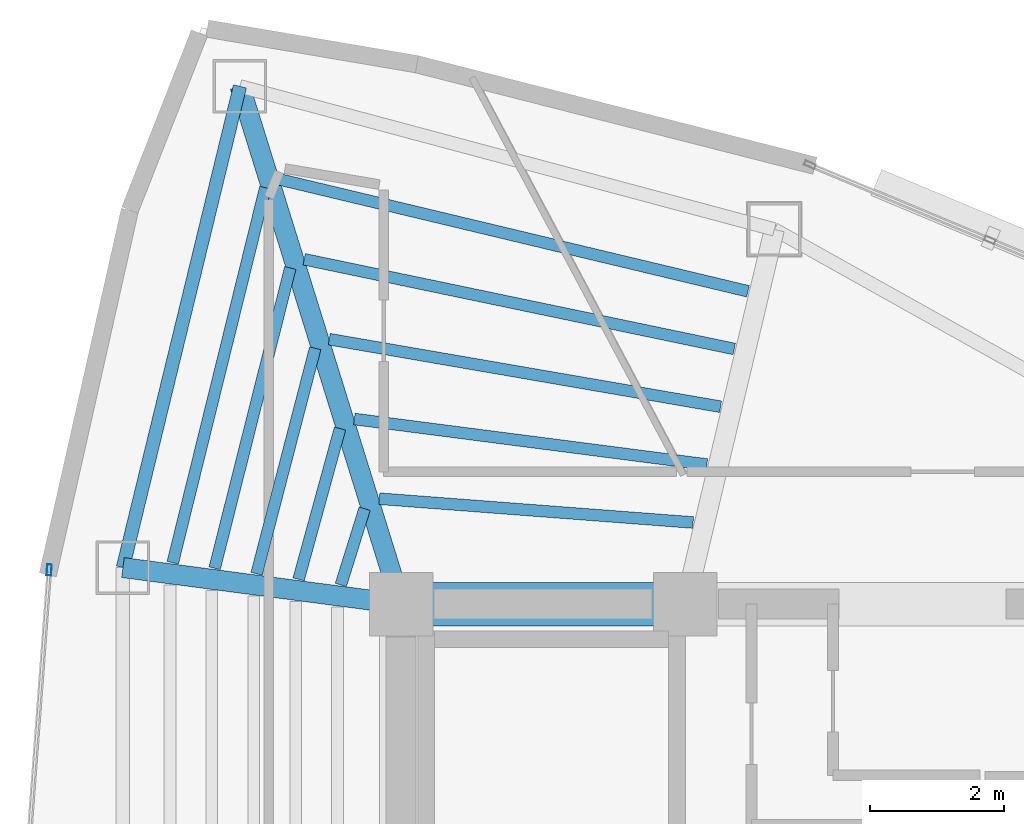
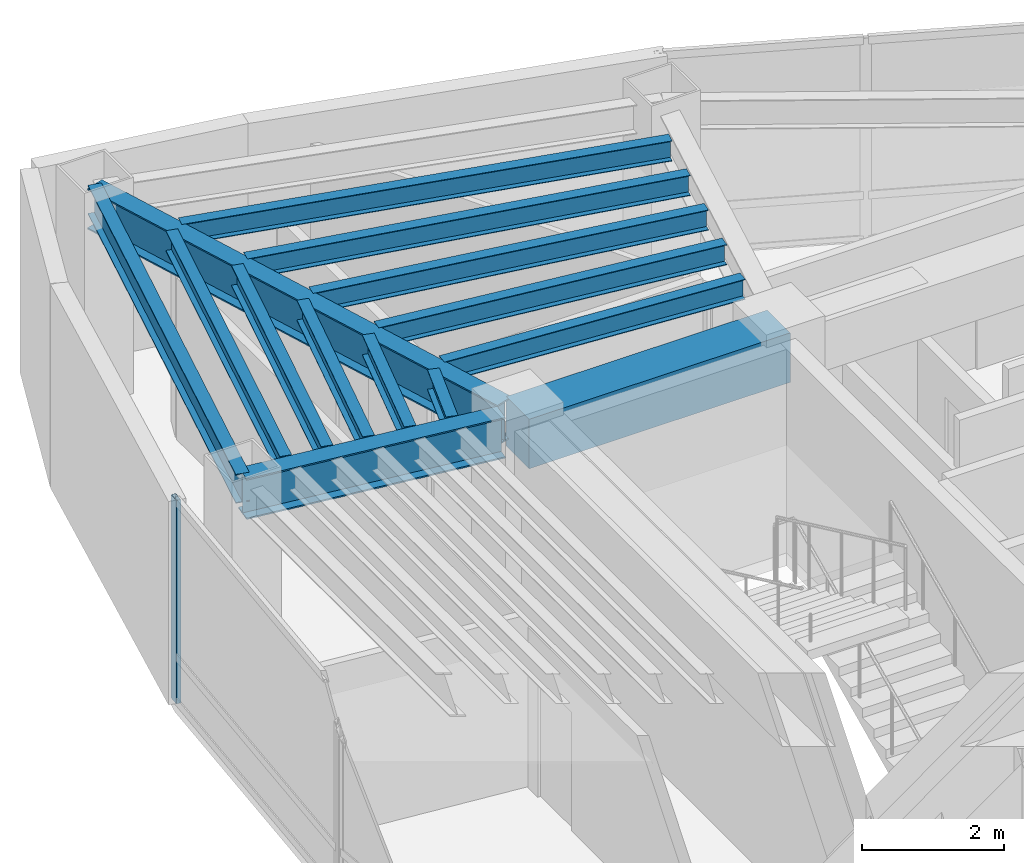
# One storey, part 7 of 15: 14 beams, 1 member, 1 element without a shape of its own.
"""IFC4 building model written with IfcOpenShell, lengths in metres."""

from ifc_helpers import new_model, si_unit, direction, frame, origin, origin_2d, place, context, subcontext, project, spatial, rectangle, hollow_rectangle, i_section, extrude, material, layer, layer_set, material_profile, profile_set, type_object, element, aggregate, save


model = new_model("IFC4")

# Units and contexts
model_context = context("Model", 3, precision=1e-05, world=origin(), true_north=direction((0.0, 1.0)))
body_context = subcontext(model_context, "Body", "Model", "MODEL_VIEW")
ifc_project = project(units=[si_unit("LENGTHUNIT", "METRE"), si_unit("AREAUNIT", "SQUARE_METRE"), si_unit("VOLUMEUNIT", "CUBIC_METRE"), si_unit("PLANEANGLEUNIT", "RADIAN"), si_unit("MASSUNIT", "GRAM", prefix="KILO")], contexts=[model_context])

# Site, building, storey
site_placement = place(None, origin())
site = spatial("IfcSite", under=ifc_project, at=site_placement, CompositionType="ELEMENT")
building_placement = place(site_placement, origin())
building = spatial("IfcBuilding", under=site, at=building_placement, Name="Menara Vayukalpa", CompositionType="ELEMENT")
storey_placement = place(building_placement, frame((0.0, 0.0, 254.580078125)))
storey = spatial("IfcBuildingStorey", under=building, at=storey_placement, Name="L64", CompositionType="ELEMENT", Elevation=254.580078125)

# Beams
ifc_material_1 = material(Name="Concrete C60/75", Category="concrete")
ifc_material_profile_1 = material_profile(ifc_material_1, rectangle(XDim=0.64990234375, YDim=0.85009765625, at=origin_2d()), Name="RC 650x850")
ifc_profile_set_1 = profile_set([ifc_material_profile_1], Name="Concrete C60/75")
beam_type_1 = type_object("IfcBeamType", Name="BM-CB1", PredefinedType="BEAM", material=ifc_profile_set_1)
beam_1_placement = place(storey_placement, frame((17.800048828125, 26.800048828125, 3.074951171875), z_axis=(1.0, 0.0, 0.0), x_axis=(0.0, 1.0, 0.0)))
element("IfcBeam", 1, at=beam_1_placement, inside=storey, type_object=beam_type_1, Name="L64 Core Tie Beam CBR4", PredefinedType="BEAM", context=body_context, shape_type="SweptSolid", body=[
    extrude(rectangle(XDim=0.64990234375, YDim=0.85009765625, at=origin_2d()), origin(), (0.0, 0.0, 1.0), 4.25),
])
ifc_material_2 = material(Name="Steel S355", Category="steel")
ifc_material_profile_2 = material_profile(ifc_material_2, i_section(OverallWidth=0.300048828125, OverallDepth=0.699951171875, WebThickness=0.012939453125, FlangeThickness=0.02392578125, at=origin_2d()), Name="WF 700x300x13x24")
ifc_profile_set_2 = profile_set([ifc_material_profile_2], Name="Steel S355")
beam_type_2 = type_object("IfcBeamType", Name="BM-PG5", PredefinedType="BEAM", material=ifc_profile_set_2)
beam_2_placement = place(storey_placement, frame((17.7255859375, 27.038818359375, 3.14990234375), z_axis=(-0.297213792842, 0.954810955815, 0.0), x_axis=(-0.954810955815, -0.297213792842, 0.0)))
element("IfcBeam", 2, at=beam_2_placement, inside=storey, type_object=beam_type_2, Name="L64 Primary Radial Girder RG04", PredefinedType="BEAM", context=body_context, shape_type="SweptSolid", body=[
    extrude(i_section(OverallWidth=0.300048828125, OverallDepth=0.699951171875, WebThickness=0.012939453125, FlangeThickness=0.02392578125, at=origin_2d()), origin(), (0.0, 0.0, 1.0), 7.861083984375),
])
beam_3_placement = place(storey_placement, frame((17.552001953125, 26.83251953125, 3.14990234375), z_axis=(-0.991477860763, 0.130275291662, 0.0), x_axis=(-0.130275291662, -0.991477860763, 0.0)))
element("IfcBeam", 3, at=beam_3_placement, inside=storey, type_object=beam_type_2, Name="L64 Primary Radial Girder RG05", PredefinedType="BEAM", context=body_context, shape_type="SweptSolid", body=[
    extrude(i_section(OverallWidth=0.300048828125, OverallDepth=0.699951171875, WebThickness=0.012939453125, FlangeThickness=0.02392578125, at=origin_2d()), origin(), (0.0, 0.0, 1.0), 3.94677734375),
])
ifc_material_3 = material(Name="Steel S355", Category="steel")
ifc_material_profile_3 = material_profile(ifc_material_3, i_section(OverallWidth=0.175048828125, OverallDepth=0.35009765625, WebThickness=0.007080078125, FlangeThickness=0.010986328125, at=origin_2d()), Name="WF 350x175x7x11")
ifc_profile_set_3 = profile_set([ifc_material_profile_3], Name="Steel S355")
beam_type_3 = type_object("IfcBeamType", Name="BM-SJ3", PredefinedType="JOIST", material=ifc_profile_set_3)
beam_4_placement = place(storey_placement, frame((22.16748046875, 28.02099609375, 3.324951171875), z_axis=(-0.997135697669, 0.075633328852, 0.0), x_axis=(-0.075633328852, -0.997135697669, 0.0)))
element("IfcBeam", 4, at=beam_4_placement, inside=storey, type_object=beam_type_3, Name="L64 Secondary Floor Joist SJ03-1", PredefinedType="JOIST", context=body_context, shape_type="SweptSolid", body=[
    extrude(i_section(OverallWidth=0.175048828125, OverallDepth=0.35009765625, WebThickness=0.007080078125, FlangeThickness=0.010986328125, at=origin_2d()), origin(), (0.0, 0.0, 1.0), 4.706298828125),
])
beam_5_placement = place(storey_placement, frame((22.372314453125, 28.887939453125, 3.324951171875), z_axis=(-0.991763759233, 0.128080622546, 0.0), x_axis=(-0.128080622546, -0.991763759233, 0.0)))
element("IfcBeam", 5, at=beam_5_placement, inside=storey, type_object=beam_type_3, Name="L64 Secondary Floor Joist SJ03-2", PredefinedType="JOIST", context=body_context, shape_type="SweptSolid", body=[
    extrude(i_section(OverallWidth=0.175048828125, OverallDepth=0.35009765625, WebThickness=0.007080078125, FlangeThickness=0.010986328125, at=origin_2d()), origin(), (0.0, 0.0, 1.0), 5.316162109375),
])
beam_6_placement = place(storey_placement, frame((22.577392578125, 29.7529296875, 3.324951171875), z_axis=(-0.985440172071, 0.170022549294, 0.0), x_axis=(-0.170022549294, -0.985440172071, 0.0)))
element("IfcBeam", 6, at=beam_6_placement, inside=storey, type_object=beam_type_3, Name="L64 Secondary Floor Joist SJ03-3", PredefinedType="JOIST", context=body_context, shape_type="SweptSolid", body=[
    extrude(i_section(OverallWidth=0.175048828125, OverallDepth=0.35009765625, WebThickness=0.007080078125, FlangeThickness=0.010986328125, at=origin_2d()), origin(), (0.0, 0.0, 1.0), 5.93896484375),
])
beam_7_placement = place(storey_placement, frame((22.7822265625, 30.61669921875, 3.324951171875), z_axis=(-0.978941451827, 0.204141210671, 0.0), x_axis=(-0.204141210671, -0.978941451827, 0.0)))
element("IfcBeam", 7, at=beam_7_placement, inside=storey, type_object=beam_type_3, Name="L64 Secondary Floor Joist SJ03-4", PredefinedType="JOIST", context=body_context, shape_type="SweptSolid", body=[
    extrude(i_section(OverallWidth=0.175048828125, OverallDepth=0.35009765625, WebThickness=0.007080078125, FlangeThickness=0.010986328125, at=origin_2d()), origin(), (0.0, 0.0, 1.0), 6.570556640625),
])
beam_8_placement = place(storey_placement, frame((22.9873046875, 31.479248046875, 3.324951171875), z_axis=(-0.972642465748, 0.232307197097, 0.0), x_axis=(-0.232307197097, -0.972642465748, 0.0)))
element("IfcBeam", 8, at=beam_8_placement, inside=storey, type_object=beam_type_3, Name="L64 Secondary Floor Joist SJ03-5", PredefinedType="JOIST", context=body_context, shape_type="SweptSolid", body=[
    extrude(i_section(OverallWidth=0.175048828125, OverallDepth=0.35009765625, WebThickness=0.007080078125, FlangeThickness=0.010986328125, at=origin_2d()), origin(), (0.0, 0.0, 1.0), 7.20947265625),
])
beam_9_placement = place(storey_placement, frame((17.25439453125, 28.2275390625, 3.324951171875), z_axis=(-0.298018933644, -0.954559958929, 0.0), x_axis=(0.954559958929, -0.298018933644, 0.0)))
element("IfcBeam", 9, at=beam_9_placement, inside=storey, type_object=beam_type_3, Name="L64 Secondary Floor Joist SJ04-1", PredefinedType="JOIST", context=body_context, shape_type="SweptSolid", body=[
    extrude(i_section(OverallWidth=0.175048828125, OverallDepth=0.35009765625, WebThickness=0.007080078125, FlangeThickness=0.010986328125, at=origin_2d()), origin(), (0.0, 0.0, 1.0), 1.1943359375),
])
beam_10_placement = place(storey_placement, frame((16.88623046875, 29.4267578125, 3.324951171875), z_axis=(-0.264918721837, -0.9642707456, 0.0), x_axis=(0.9642707456, -0.264918721837, 0.0)))
element("IfcBeam", 10, at=beam_10_placement, inside=storey, type_object=beam_type_3, Name="L64 Secondary Floor Joist SJ04-2", PredefinedType="JOIST", context=body_context, shape_type="SweptSolid", body=[
    extrude(i_section(OverallWidth=0.175048828125, OverallDepth=0.35009765625, WebThickness=0.007080078125, FlangeThickness=0.010986328125, at=origin_2d()), origin(), (0.0, 0.0, 1.0), 2.3388671875),
])
beam_11_placement = place(storey_placement, frame((16.5146484375, 30.627197265625, 3.324951171875), z_axis=(-0.251492114719, -0.96785934734, 0.0), x_axis=(0.96785934734, -0.251492114719, 0.0)))
element("IfcBeam", 11, at=beam_11_placement, inside=storey, type_object=beam_type_3, Name="L64 Secondary Floor Joist SJ04-3", PredefinedType="JOIST", context=body_context, shape_type="SweptSolid", body=[
    extrude(i_section(OverallWidth=0.175048828125, OverallDepth=0.35009765625, WebThickness=0.007080078125, FlangeThickness=0.010986328125, at=origin_2d()), origin(), (0.0, 0.0, 1.0), 3.485107421875),
])
beam_12_placement = place(storey_placement, frame((16.14208984375, 31.82763671875, 3.324951171875), z_axis=(-0.244247063973, -0.969713035769, 0.0), x_axis=(0.969713035769, -0.244247063973, 0.0)))
element("IfcBeam", 12, at=beam_12_placement, inside=storey, type_object=beam_type_3, Name="L64 Secondary Floor Joist SJ04-4", PredefinedType="JOIST", context=body_context, shape_type="SweptSolid", body=[
    extrude(i_section(OverallWidth=0.175048828125, OverallDepth=0.35009765625, WebThickness=0.007080078125, FlangeThickness=0.010986328125, at=origin_2d()), origin(), (0.0, 0.0, 1.0), 4.630859375),
])
beam_13_placement = place(storey_placement, frame((15.768798828125, 33.028564453125, 3.324951171875), z_axis=(-0.239671161383, -0.970854126222, 0.0), x_axis=(0.970854126222, -0.239671161383, 0.0)))
element("IfcBeam", 13, at=beam_13_placement, inside=storey, type_object=beam_type_3, Name="L64 Secondary Floor Joist SJ04-5", PredefinedType="JOIST", context=body_context, shape_type="SweptSolid", body=[
    extrude(i_section(OverallWidth=0.175048828125, OverallDepth=0.35009765625, WebThickness=0.007080078125, FlangeThickness=0.010986328125, at=origin_2d()), origin(), (0.0, 0.0, 1.0), 5.77783203125),
])
ifc_material_4 = material(Name="Steel S355", Category="steel")
ifc_material_profile_4 = material_profile(ifc_material_4, i_section(OverallWidth=0.199951171875, OverallDepth=0.5, WebThickness=0.010009765625, FlangeThickness=0.01611328125, at=origin_2d()), Name="WF 500x200x10x16")
ifc_profile_set_4 = profile_set([ifc_material_profile_4], Name="Steel S355")
beam_type_4 = type_object("IfcBeamType", Name="BM-SP3", PredefinedType="SPANDREL", material=ifc_profile_set_4)
beam_14_placement = place(storey_placement, frame((15.38916015625, 34.544677734375, 3.25), z_axis=(-0.236272525754, -0.97168682896, 0.0), x_axis=(0.97168682896, -0.236272525754, 0.0)))
element("IfcBeam", 14, at=beam_14_placement, inside=storey, type_object=beam_type_4, Name="L64 Perimeter Spandrel Beam SP04", PredefinedType="SPANDREL", context=body_context, shape_type="SweptSolid", body=[
    extrude(i_section(OverallWidth=0.199951171875, OverallDepth=0.5, WebThickness=0.010009765625, FlangeThickness=0.01611328125, at=origin_2d()), origin(), (0.0, 0.0, 1.0), 7.40771484375),
])

# Curtain wall, member
ifc_material_5 = material(Name="Anodised Terracotta Aluminium Alloy 6063-T6", Category="masonry")
ifc_layer = layer(ifc_material_5, 0.1650390625)
ifc_layer_set = layer_set([ifc_layer], Name="Anodised Terracotta Aluminium Alloy 6063-T6")
curtain_wall_type = type_object("IfcCurtainWallType", Name="CW-CW6", PredefinedType="USERDEFINED", material=ifc_layer_set)
curtain_wall_placement = place(storey_placement, origin())
curtain_wall = element("IfcCurtainWall", 15, at=curtain_wall_placement, inside=storey, type_object=curtain_wall_type, Name="L64 Observation and Executive Curtain Wall CW6 10", ObjectType="UNITISED", PredefinedType="USERDEFINED")
ifc_material_6 = material(Name="Anodised Terracotta Aluminium Alloy 6063-T6", Category="masonry")
ifc_material_profile_5 = material_profile(ifc_material_6, hollow_rectangle(XDim=0.070068359375, YDim=0.1650390625, WallThickness=0.00390625, at=origin_2d()), Name="ALU 70x165x4")
ifc_profile_set_5 = profile_set([ifc_material_profile_5], Name="Anodised Terracotta Aluminium Alloy 6063-T6")
member_type = type_object("IfcMemberType", Name="CWM-CW6", PredefinedType="MULLION", material=ifc_profile_set_5)
member_placement = place(storey_placement, frame((12.536376953125, 27.311767578125, 0.0), z_axis=(0.0, 0.0, 1.0), x_axis=(0.997199344663, -0.074789484574, 0.0)))
member = element("IfcMember", 16, at=member_placement, type_object=member_type, Name="CW6 mullion 1", PredefinedType="MULLION", context=body_context, shape_type="SweptSolid", body=[
    extrude(hollow_rectangle(XDim=0.070068359375, YDim=0.1650390625, WallThickness=0.00390625, at=origin_2d()), origin(), (0.0, 0.0, 1.0), 3.5),
])
aggregate(curtain_wall, [member])

save(model, "model.ifc")
